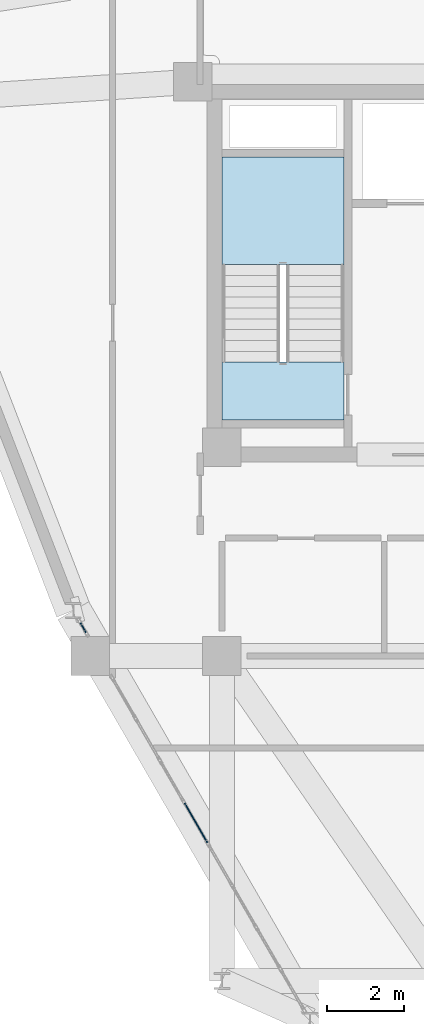
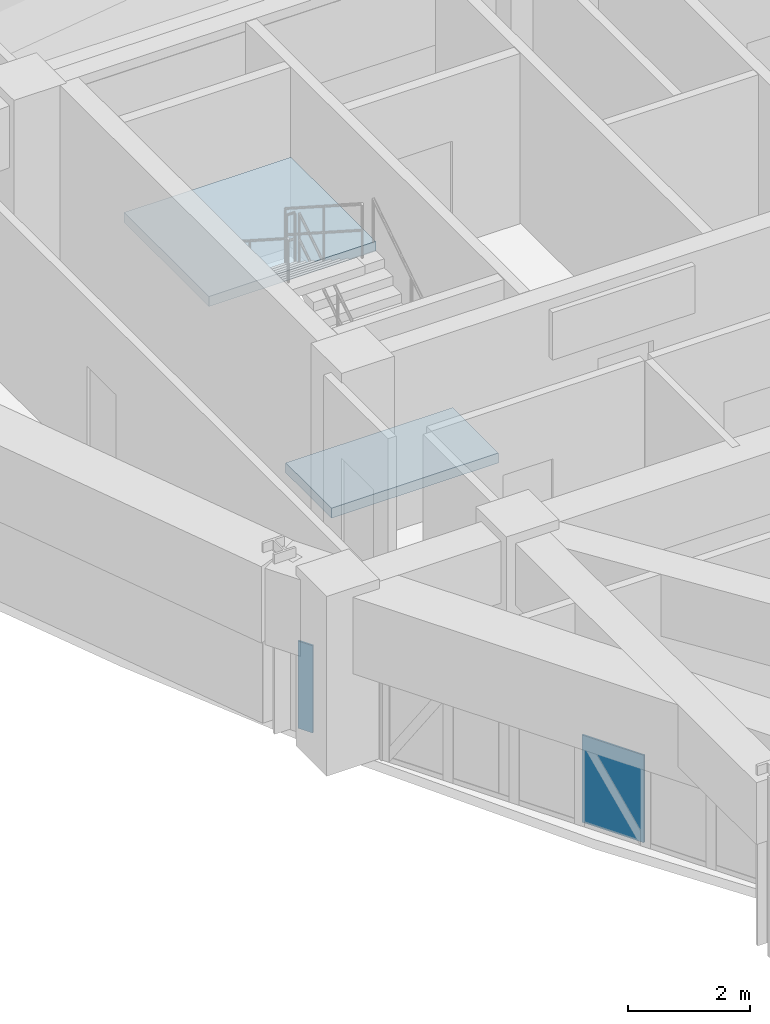
# One storey, part 15 of 19: 2 plates, 2 slabs, 3 elements without a shape of their own.
"""IFC4 building model written with IfcOpenShell, lengths in metres."""

from ifc_helpers import new_model, si_unit, derived_unit, direction, frame, origin, origin_2d, place, context, subcontext, project, spatial, polyline, rectangle, outline, extrude, source, transform, mapped, material, layer, layer_set, type_object, element, aggregate, save


model = new_model("IFC4")

# Units and contexts
model_context = context("Model", 3, precision=1e-05, world=origin(), true_north=direction((0.0, 1.0)))
body_context = subcontext(model_context, "Body", "Model", "MODEL_VIEW")
ifc_project = project(units=[si_unit("LENGTHUNIT", "METRE"), si_unit("AREAUNIT", "SQUARE_METRE"), si_unit("VOLUMEUNIT", "CUBIC_METRE"), si_unit("PLANEANGLEUNIT", "RADIAN"), si_unit("MASSUNIT", "GRAM", prefix="KILO"), derived_unit("THERMALTRANSMITTANCEUNIT", [(si_unit("POWERUNIT", "WATT"), 1), (si_unit("LENGTHUNIT", "METRE"), -2), (si_unit("THERMODYNAMICTEMPERATUREUNIT", "KELVIN"), -1)])], contexts=[model_context])

# Site, building, storey
site_placement = place(None, origin())
site = spatial("IfcSite", under=ifc_project, at=site_placement, CompositionType="ELEMENT")
building_placement = place(site_placement, origin())
building = spatial("IfcBuilding", under=site, at=building_placement, Name="Korsvarv Bourse and Concert Hall", CompositionType="ELEMENT")
storey_placement = place(building_placement, frame((0.0, 0.0, 223.800048828125)))
storey = spatial("IfcBuildingStorey", under=building, at=storey_placement, Name="L58", CompositionType="ELEMENT", Elevation=223.800048828125)

# Slab
ifc_material_1 = material(Name="Precast concrete C45/55", Category="concrete")
ifc_layer_1 = layer(ifc_material_1, 0.199951171875)
ifc_layer_set_1 = layer_set([ifc_layer_1], Name="Precast concrete C45/55")
slab_type_1 = type_object("IfcSlabType", Name="SLB-FLND-T", PredefinedType="LANDING", material=ifc_layer_set_1)
slab_1_placement = place(storey_placement, frame((0.0, 0.0, -0.199951171875)))
element("IfcSlab", 1, at=slab_1_placement, inside=storey, type_object=slab_type_1, Name="L58 Stair ST-T1 Floor Landing Slab", PredefinedType="LANDING", context=body_context, shape_type="SweptSolid", body=[
    extrude(outline(polyline([(30.760009765625, 38.5), (30.760009765625, 40.0), (27.60009765625, 40.0), (27.60009765625, 38.5), (30.760009765625, 38.5)])), origin(), (0.0, 0.0, 1.0), 0.199951171875),
])

# Stair, slab
stair_type = type_object("IfcStairType", Name="STR-TYPE-04", PredefinedType="HALF_TURN_STAIR", material=ifc_material_1)
stair_placement = place(storey_placement, origin())
stair = element("IfcStair", 2, at=stair_placement, inside=storey, type_object=stair_type, Name="L58 Tower West Exit Stair ST-T1", PredefinedType="HALF_TURN_STAIR")
ifc_layer_2 = layer(ifc_material_1, 0.199951171875)
ifc_layer_set_2 = layer_set([ifc_layer_2], Name="Precast concrete C45/55")
slab_type_2 = type_object("IfcSlabType", Name="SLB-ST-LND", PredefinedType="LANDING", material=ifc_layer_set_2)
slab_2_placement = place(storey_placement, frame((0.0, 0.0, 1.599853515625)))
slab_2 = element("IfcSlab", 3, at=slab_2_placement, type_object=slab_type_2, Name="ST-T1 landing 1", PredefinedType="LANDING", context=body_context, shape_type="SweptSolid", body=[
    extrude(outline(polyline([(30.760009765625, 42.52001953125), (30.760009765625, 45.300048828125), (27.60009765625, 45.300048828125), (27.60009765625, 42.52001953125), (30.760009765625, 42.52001953125)])), origin(), (0.0, 0.0, 1.0), 0.2001953125),
])
aggregate(stair, [slab_2])

# Curtain wall, plate
ifc_material_2 = material(Name="Anodised aluminium and triple low-E glazing", Category="glass")
ifc_layer_3 = layer(ifc_material_2, 0.199951171875)
ifc_layer_set_3 = layer_set([ifc_layer_3], Name="Anodised aluminium and triple low-E glazing")
curtain_wall_type = type_object("IfcCurtainWallType", Name="CW-SYS-3", PredefinedType="NOTDEFINED", material=ifc_layer_set_3)
curtain_wall_1_placement = place(storey_placement, origin())
curtain_wall_1 = element("IfcCurtainWall", 4, at=curtain_wall_1_placement, inside=storey, type_object=curtain_wall_type, Name="L58 CW3 curtain wall CW-L58-F07-1", PredefinedType="NOTDEFINED")
ifc_material_3 = material(Name="Insulated spandrel glass", Category="glass")
ifc_layer_4 = layer(ifc_material_3, 0.031982421875)
ifc_layer_set_4 = layer_set([ifc_layer_4], Name="Insulated spandrel glass")
plate_type = type_object("IfcPlateType", Name="CWP-SPD1", PredefinedType="CURTAIN_PANEL", material=ifc_layer_set_4)
shared_shape_1 = source(origin(), body_context, "Body", "SweptSolid", [
    extrude(rectangle(XDim=0.282958984375, YDim=0.031982421875, at=origin_2d()), origin(), (0.0, 0.0, 1.0), 1.75),
])
plate_1_placement = place(storey_placement, frame((24.01513671875, 33.133056640625, 0.06494140625), z_axis=(0.0, 0.0, 1.0), x_axis=(0.49995447027, -0.866051688791, 0.0)))
plate_1 = element("IfcPlate", 5, at=plate_1_placement, type_object=plate_type, Name="CW3 spandrel shadow-box panel 1.1", PredefinedType="CURTAIN_PANEL", context=body_context, shape_type="MappedRepresentation", body=[
    mapped(shared_shape_1, transform((0.0, 0.0, 0.0), scale=1.0)),
])
aggregate(curtain_wall_1, [plate_1])

curtain_wall_2_placement = place(storey_placement, origin())
curtain_wall_2 = element("IfcCurtainWall", 6, at=curtain_wall_2_placement, inside=storey, type_object=curtain_wall_type, Name="L58 CW3 curtain wall CW-L58-F07-2", PredefinedType="NOTDEFINED")
shared_shape_2 = source(origin(), body_context, "Body", "SweptSolid", [
    extrude(rectangle(XDim=1.175048828125, YDim=0.031982421875, at=origin_2d()), origin(), (0.0, 0.0, 1.0), 1.75),
])
plate_2_placement = place(storey_placement, frame((26.928955078125, 28.086181640625, 0.06494140625), z_axis=(0.0, 0.0, 1.0), x_axis=(0.499995906824, -0.866027766968, 0.0)))
plate_2 = element("IfcPlate", 7, at=plate_2_placement, type_object=plate_type, Name="CW3 spandrel shadow-box panel 4.1", PredefinedType="CURTAIN_PANEL", context=body_context, shape_type="MappedRepresentation", body=[
    mapped(shared_shape_2, transform((0.0, 0.0, 0.0), scale=1.0)),
])
aggregate(curtain_wall_2, [plate_2])

save(model, "model.ifc")
